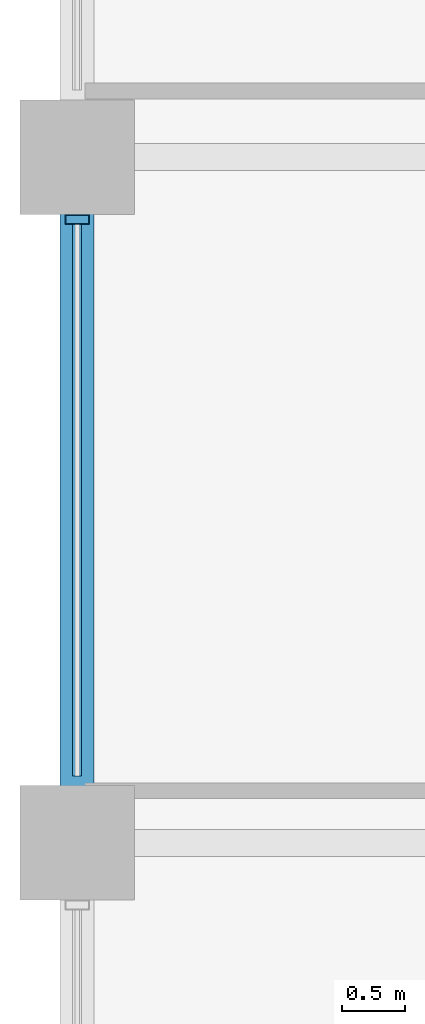
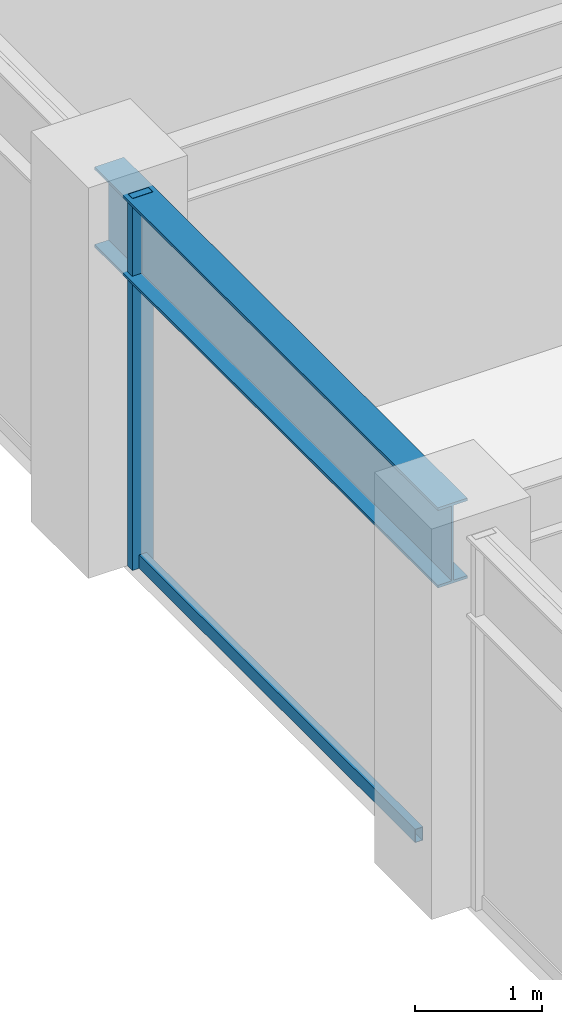
# One storey, part 8 of 32: 2 members, 1 beam, 1 element without a shape of its own.
"""IFC4 building model written with IfcOpenShell, lengths in metres."""

from ifc_helpers import new_model, si_unit, direction, frame, origin, origin_2d, place, context, subcontext, project, spatial, hollow_rectangle, i_section, extrude, material, layer, layer_set, material_profile, profile_set, type_object, element, aggregate, save


model = new_model("IFC4")

# Units and contexts
model_context = context("Model", 3, precision=1e-05, world=origin(), true_north=direction((0.0, 1.0)))
body_context = subcontext(model_context, "Body", "Model", "MODEL_VIEW")
ifc_project = project(units=[si_unit("LENGTHUNIT", "METRE"), si_unit("AREAUNIT", "SQUARE_METRE"), si_unit("VOLUMEUNIT", "CUBIC_METRE"), si_unit("PLANEANGLEUNIT", "RADIAN"), si_unit("MASSUNIT", "GRAM", prefix="KILO")], contexts=[model_context])

# Site, building, storey
site_placement = place(None, origin())
site = spatial("IfcSite", under=ifc_project, at=site_placement, CompositionType="ELEMENT")
building_placement = place(site_placement, origin())
building = spatial("IfcBuilding", under=site, at=building_placement, Name="Surkhivell Harbour Commons", CompositionType="ELEMENT")
storey_placement = place(building_placement, frame((0.0, 0.0, 201.0)))
storey = spatial("IfcBuildingStorey", under=building, at=storey_placement, Name="L52", CompositionType="ELEMENT", Elevation=201.0)

# Beam
ifc_material_1 = material(Name="Steel S355", Category="steel")
ifc_material_profile_1 = material_profile(ifc_material_1, i_section(OverallWidth=0.26806640625, OverallDepth=0.77001953125, WebThickness=0.015625, FlangeThickness=0.025390625, at=origin_2d()), Name="UB762x267x197")
ifc_profile_set_1 = profile_set([ifc_material_profile_1], Name="Steel S355")
beam_type = type_object("IfcBeamType", Name="BM-SPN-762", PredefinedType="SPANDREL", material=ifc_profile_set_1)
beam_placement = place(storey_placement, frame((-27.0, -5.39990234375, 3.18505859375), z_axis=(0.0, 1.0, 0.0), x_axis=(-1.0, 0.0, 0.0)))
element("IfcBeam", 1, at=beam_placement, inside=storey, type_object=beam_type, Name="L52 Tube Spandrel (-27.0,-5.4)", PredefinedType="SPANDREL", context=body_context, shape_type="SweptSolid", body=[
    extrude(i_section(OverallWidth=0.26806640625, OverallDepth=0.77001953125, WebThickness=0.015625, FlangeThickness=0.025390625, at=origin_2d()), origin(), (0.0, 0.0, 1.0), 5.39990234375),
])

# Curtain wall, members
ifc_material_2 = material(Name="Anodised pale-metal aluminium and insulated glazing", Category="aluminium")
ifc_layer = layer(ifc_material_2, 0.18994140625)
ifc_layer_set = layer_set([ifc_layer], Name="Anodised pale-metal aluminium and insulated glazing")
curtain_wall_type = type_object("IfcCurtainWallType", Name="CW-SYS-Z3", PredefinedType="NOTDEFINED", material=ifc_layer_set)
curtain_wall_placement = place(storey_placement, origin())
curtain_wall = element("IfcCurtainWall", 2, at=curtain_wall_placement, inside=storey, type_object=curtain_wall_type, Name="L52 Curtain Wall CW-L52-E12S1", PredefinedType="NOTDEFINED")
ifc_material_3 = material(Name="Anodised pale-metal aluminium alloy 6063-T6", Category="aluminium")
ifc_material_profile_2 = material_profile(ifc_material_3, hollow_rectangle(XDim=0.074951171875, YDim=0.18994140625, WallThickness=0.00390625, at=origin_2d()), Name="ALU-MULL-75x190")
ifc_profile_set_2 = profile_set([ifc_material_profile_2], Name="Anodised pale-metal aluminium alloy 6063-T6")
member_type_1 = type_object("IfcMemberType", Name="CWM-190", PredefinedType="MULLION", material=ifc_profile_set_2)
member_1_placement = place(storey_placement, frame((-27.0, -0.489501953125, 0.0), z_axis=(0.0, 0.0, 1.0), x_axis=(0.0, -1.0, 0.0)))
member_1 = element("IfcMember", 3, at=member_1_placement, type_object=member_type_1, Name="CW-Z3 mullion 5", PredefinedType="MULLION", context=body_context, shape_type="SweptSolid", body=[
    extrude(hollow_rectangle(XDim=0.074951171875, YDim=0.18994140625, WallThickness=0.00390625, at=origin_2d()), origin(), (0.0, 0.0, 1.0), 3.570068359375),
])
ifc_material_4 = material(Name="Champagne anodised aluminium alloy 6063-T6", Category="aluminium")
ifc_material_profile_3 = material_profile(ifc_material_4, hollow_rectangle(XDim=0.070068359375, YDim=0.1298828125, WallThickness=0.00341796875, at=origin_2d()), Name="ALU-TRAN-70x130")
ifc_profile_set_3 = profile_set([ifc_material_profile_3], Name="Champagne anodised aluminium alloy 6063-T6")
member_type_2 = type_object("IfcMemberType", Name="CWT-130", PredefinedType="USERDEFINED", material=ifc_profile_set_3)
member_2_placement = place(storey_placement, frame((-27.0, -0.527099609375, 0.06494140625), z_axis=(0.0, -1.0, 0.0), x_axis=(1.0, 0.0, 0.0)))
member_2 = element("IfcMember", 4, at=member_2_placement, type_object=member_type_2, Name="CW-Z3 transom 5.1", ObjectType="TRANSOM", PredefinedType="USERDEFINED", context=body_context, shape_type="SweptSolid", body=[
    extrude(hollow_rectangle(XDim=0.070068359375, YDim=0.1298828125, WallThickness=0.00341796875, at=origin_2d()), origin(), (0.0, 0.0, 1.0), 4.345947265625),
])
aggregate(curtain_wall, [member_1, member_2])

save(model, "model.ifc")
